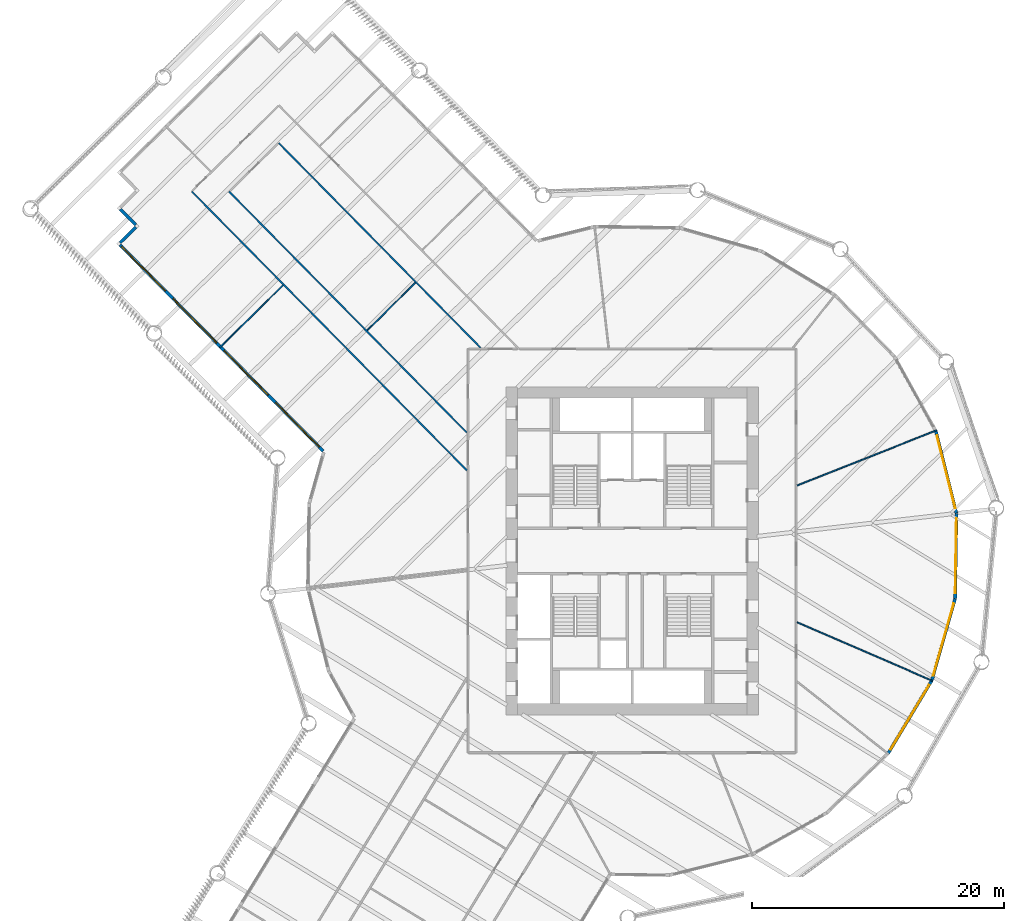
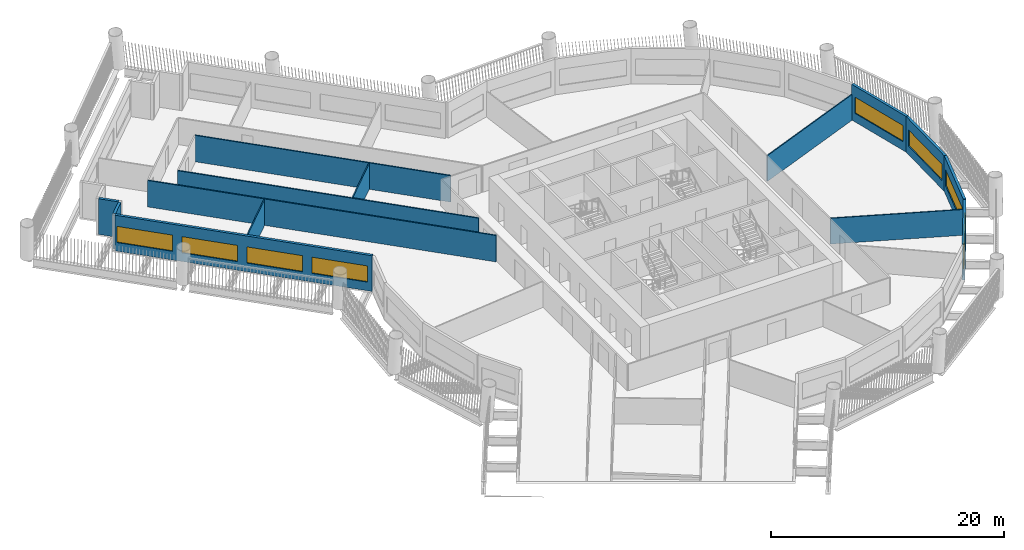
# One storey, part 6 of 15: 14 walls, 8 windows, 8 openings.
"""IFC4 building model written with IfcOpenShell, lengths in metres."""

from ifc_helpers import new_model, si_unit, direction, frame, frame_2d, origin, place, context, subcontext, project, spatial, rectangle, extrude, material, layer, layer_set, type_object, element, fill, save


model = new_model("IFC4")

# Units and contexts
model_context = context("Model", 3, precision=1e-05, world=origin(), true_north=direction((0.0, 1.0)))
body_context = subcontext(model_context, "Body", "Model", "MODEL_VIEW")
ifc_project = project(units=[si_unit("LENGTHUNIT", "METRE"), si_unit("AREAUNIT", "SQUARE_METRE"), si_unit("VOLUMEUNIT", "CUBIC_METRE"), si_unit("PLANEANGLEUNIT", "RADIAN"), si_unit("MASSUNIT", "GRAM", prefix="KILO")], contexts=[model_context])

# Site, building, storey
site_placement = place(None, origin())
site = spatial("IfcSite", under=ifc_project, at=site_placement, CompositionType="ELEMENT")
building_placement = place(site_placement, origin())
building = spatial("IfcBuilding", under=site, at=building_placement, Name="Tarsis Ring Headquarters", CompositionType="ELEMENT")
storey_placement = place(building_placement, frame((0.0, 0.0, 75.10009765625)))
storey = spatial("IfcBuildingStorey", under=building, at=storey_placement, Name="L16", CompositionType="ELEMENT", Elevation=75.10009765625)

# Walls
ifc_material_1 = material(Name="Gypsum board on steel studs", Category="steel")
ifc_layer_1 = layer(ifc_material_1, 0.10009765625)
ifc_layer_set_1 = layer_set([ifc_layer_1], Name="FL partition 100 unrated")
wall_type_1 = type_object("IfcWallType", Name="FL partition 100 unrated", PredefinedType="PARTITIONING", material=ifc_layer_set_1)
wall_1_placement = place(storey_placement, frame((13.074462890625, 5.176513671875, 0.0), z_axis=(0.0, 0.0, 1.0), x_axis=(0.929777028959, 0.368123181041, 0.0)))
element("IfcWall", 1, at=wall_1_placement, inside=storey, type_object=wall_type_1, Name="Partition PW3", PredefinedType="PARTITIONING", context=body_context, shape_type="SweptSolid", body=[
    extrude(rectangle(XDim=11.885986328125, YDim=0.10009765625, at=frame_2d((5.94287109375, 0.0))), origin(), (0.0, 0.0, 1.0), 2.699951171875),
])
wall_2_placement = place(storey_placement, frame((13.073486328125, -5.657470703125, 0.0), z_axis=(0.0, 0.0, 1.0), x_axis=(0.917754917288, -0.397147216776, 0.0)))
element("IfcWall", 2, at=wall_2_placement, inside=storey, type_object=wall_type_1, Name="Partition PW3", PredefinedType="PARTITIONING", context=body_context, shape_type="SweptSolid", body=[
    extrude(rectangle(XDim=11.70263671875, YDim=0.10009765625, at=frame_2d((5.851318359375, 0.0))), origin(), (0.0, 0.0, 1.0), 2.699951171875),
])
wall_3_placement = place(storey_placement, frame((-32.669921875, 16.110107421875, 0.0), z_axis=(0.0, 0.0, 1.0), x_axis=(0.712038273543, 0.702140653295, 0.0)))
element("IfcWall", 3, at=wall_3_placement, inside=storey, type_object=wall_type_1, Name="Partition PW3", PredefinedType="PARTITIONING", context=body_context, shape_type="SweptSolid", body=[
    extrude(rectangle(XDim=7.030029296875, YDim=0.10009765625, at=frame_2d((3.51513671875, 0.0))), origin(), (0.0, 0.0, 1.0), 2.699951171875),
])
wall_4_placement = place(storey_placement, frame((-20.99267578125, 17.47119140625, 0.0), z_axis=(0.0, 0.0, 1.0), x_axis=(0.712031643774, 0.702147376457, 0.0)))
element("IfcWall", 4, at=wall_4_placement, inside=storey, type_object=wall_type_1, Name="Partition PW3", PredefinedType="PARTITIONING", context=body_context, shape_type="SweptSolid", body=[
    extrude(rectangle(XDim=5.35986328125, YDim=0.10009765625, at=frame_2d((2.679931640625, 0.0))), origin(), (0.0, 0.0, 1.0), 2.699951171875),
])
ifc_layer_2 = layer(ifc_material_1, 0.125)
ifc_layer_set_2 = layer_set([ifc_layer_2], Name="FL partition 125 EI 60 H2770")
wall_type_2 = type_object("IfcWallType", Name="FL partition 125 EI 60 H2770", PredefinedType="PARTITIONING", material=ifc_layer_set_2)
wall_5_placement = place(storey_placement, frame((-34.895751953125, 28.47900390625, 0.0), z_axis=(0.0, 0.0, 1.0), x_axis=(0.702154612393, -0.712024508212, 0.0)))
element("IfcWall", 5, at=wall_5_placement, inside=storey, type_object=wall_type_2, Name="Partition PW1", PredefinedType="PARTITIONING", context=body_context, shape_type="SweptSolid", body=[
    extrude(rectangle(XDim=31.04345703125, YDim=0.125, at=frame_2d((15.521728515625, 0.0))), origin(), (0.0, 0.0, 1.0), 2.77001953125),
])
wall_6_placement = place(storey_placement, frame((-31.926025390625, 28.45849609375, 0.0), z_axis=(0.0, 0.0, 1.0), x_axis=(0.702150131863, -0.712028926607, 0.0)))
element("IfcWall", 6, at=wall_6_placement, inside=storey, type_object=wall_type_2, Name="Partition PW1", PredefinedType="PARTITIONING", context=body_context, shape_type="SweptSolid", body=[
    extrude(rectangle(XDim=26.814208984375, YDim=0.125, at=frame_2d((13.4072265625, 0.0))), origin(), (0.0, 0.0, 1.0), 2.77001953125),
])
wall_7_placement = place(storey_placement, frame((-28.009765625, 32.3203125, 0.0), z_axis=(0.0, 0.0, 1.0), x_axis=(0.702151222101, -0.712027851493, 0.0)))
element("IfcWall", 7, at=wall_7_placement, inside=storey, type_object=wall_type_2, Name="Partition PW1", PredefinedType="PARTITIONING", context=body_context, shape_type="SweptSolid", body=[
    extrude(rectangle(XDim=22.791015625, YDim=0.125, at=frame_2d((11.3955078125, 0.0))), origin(), (0.0, 0.0, 1.0), 2.77001953125),
])

# Wall, openings, windows
ifc_material_2 = material(Name="Terracotta clad insulated panel wall", Category="masonry")
ifc_layer_3 = layer(ifc_material_2, 0.25)
ifc_layer_set_3 = layer_set([ifc_layer_3], Name="Facade wall terracotta panel 250")
wall_type_3 = type_object("IfcWallType", Name="Facade wall terracotta panel 250", PredefinedType="STANDARD", material=ifc_layer_set_3)
wall_8_placement = place(storey_placement, frame((-40.578857421875, 24.237060546875, 0.0), z_axis=(0.0, 0.0, 1.0), x_axis=(0.702152835418, -0.712026260551, 0.0)))
wall_8 = element("IfcWall", 8, at=wall_8_placement, inside=storey, type_object=wall_type_3, Name="External wall L16-01", PredefinedType="STANDARD", context=body_context, shape_type="SweptSolid", body=[
    extrude(rectangle(XDim=22.921875, YDim=0.25, at=frame_2d((11.4609375, 0.0))), origin(), (0.0, 0.0, 1.0), 3.739990234375),
])
opening_1_placement = place(wall_8_placement, frame((0.17138671875, 0.0, 0.89990234375)))
opening_1 = element("IfcOpeningElement", 9, at=opening_1_placement, cuts=wall_8, Name="Opening WN05", PredefinedType="OPENING", context=body_context, shape_type="SweptSolid", body=[
    extrude(rectangle(XDim=4.949951171875, YDim=1.699951171875, at=frame_2d((2.47509765625, 0.85009765625))), frame((0.0, 0.135009765625, 0.0), z_axis=(0.0, -1.0, 0.0), x_axis=(1.0, 0.0, 0.0)), (0.0, 0.0, 1.0), 0.27001953125),
])
opening_2_placement = place(wall_8_placement, frame((5.964599609375, 0.0, 0.89990234375)))
opening_2 = element("IfcOpeningElement", 10, at=opening_2_placement, cuts=wall_8, Name="Opening WN05", PredefinedType="OPENING", context=body_context, shape_type="SweptSolid", body=[
    extrude(rectangle(XDim=4.949951171875, YDim=1.699951171875, at=frame_2d((2.47509765625, 0.85009765625))), frame((0.0, 0.135009765625, 0.0), z_axis=(0.0, -1.0, 0.0), x_axis=(1.0, 0.0, 0.0)), (0.0, 0.0, 1.0), 0.27001953125),
])
opening_3_placement = place(wall_8_placement, frame((11.757568359375, 0.0, 0.89990234375)))
opening_3 = element("IfcOpeningElement", 11, at=opening_3_placement, cuts=wall_8, Name="Opening WN05", PredefinedType="OPENING", context=body_context, shape_type="SweptSolid", body=[
    extrude(rectangle(XDim=4.949951171875, YDim=1.699951171875, at=frame_2d((2.47509765625, 0.85009765625))), frame((0.0, 0.135009765625, 0.0), z_axis=(0.0, -1.0, 0.0), x_axis=(1.0, 0.0, 0.0)), (0.0, 0.0, 1.0), 0.27001953125),
])
opening_4_placement = place(wall_8_placement, frame((17.550537109375, 0.0, 0.89990234375)))
opening_4 = element("IfcOpeningElement", 12, at=opening_4_placement, cuts=wall_8, Name="Opening WN05", PredefinedType="OPENING", context=body_context, shape_type="SweptSolid", body=[
    extrude(rectangle(XDim=4.949951171875, YDim=1.699951171875, at=frame_2d((2.47509765625, 0.85009765625))), frame((0.0, 0.135009765625, 0.0), z_axis=(0.0, -1.0, 0.0), x_axis=(1.0, 0.0, 0.0)), (0.0, 0.0, 1.0), 0.27001953125),
])
ifc_material_3 = material(Name="Aluminium framed double glazing", Category="aluminium")
window_type_1 = type_object("IfcWindowType", Name="Facade window 4950 x 1700", PartitioningType="SINGLE_PANEL", PredefinedType="WINDOW", material=ifc_material_3)
window_1_placement = place(opening_1_placement, origin())
window_1 = element("IfcWindow", 13, at=window_1_placement, inside=storey, type_object=window_type_1, Name="Window L16-01.1", OverallHeight=1.699951171875, OverallWidth=4.949951171875, PartitioningType="SINGLE_PANEL", PredefinedType="WINDOW", context=body_context, shape_type="SweptSolid", body=[
    extrude(rectangle(XDim=4.949951171875, YDim=1.699951171875, at=frame_2d((2.47509765625, 0.85009765625))), frame((0.0, 0.030029296875, 0.0), z_axis=(0.0, -1.0, 0.0), x_axis=(1.0, 0.0, 0.0)), (0.0, 0.0, 1.0), 0.06005859375),
])
fill(opening_1, window_1)
window_2_placement = place(opening_2_placement, origin())
window_2 = element("IfcWindow", 14, at=window_2_placement, inside=storey, type_object=window_type_1, Name="Window L16-01.2", OverallHeight=1.699951171875, OverallWidth=4.949951171875, PartitioningType="SINGLE_PANEL", PredefinedType="WINDOW", context=body_context, shape_type="SweptSolid", body=[
    extrude(rectangle(XDim=4.949951171875, YDim=1.699951171875, at=frame_2d((2.47509765625, 0.85009765625))), frame((0.0, 0.030029296875, 0.0), z_axis=(0.0, -1.0, 0.0), x_axis=(1.0, 0.0, 0.0)), (0.0, 0.0, 1.0), 0.06005859375),
])
fill(opening_2, window_2)
window_3_placement = place(opening_3_placement, origin())
window_3 = element("IfcWindow", 15, at=window_3_placement, inside=storey, type_object=window_type_1, Name="Window L16-01.3", OverallHeight=1.699951171875, OverallWidth=4.949951171875, PartitioningType="SINGLE_PANEL", PredefinedType="WINDOW", context=body_context, shape_type="SweptSolid", body=[
    extrude(rectangle(XDim=4.949951171875, YDim=1.699951171875, at=frame_2d((2.47509765625, 0.85009765625))), frame((0.0, 0.030029296875, 0.0), z_axis=(0.0, -1.0, 0.0), x_axis=(1.0, 0.0, 0.0)), (0.0, 0.0, 1.0), 0.06005859375),
])
fill(opening_3, window_3)
window_4_placement = place(opening_4_placement, origin())
window_4 = element("IfcWindow", 16, at=window_4_placement, inside=storey, type_object=window_type_1, Name="Window L16-01.4", OverallHeight=1.699951171875, OverallWidth=4.949951171875, PartitioningType="SINGLE_PANEL", PredefinedType="WINDOW", context=body_context, shape_type="SweptSolid", body=[
    extrude(rectangle(XDim=4.949951171875, YDim=1.699951171875, at=frame_2d((2.47509765625, 0.85009765625))), frame((0.0, 0.030029296875, 0.0), z_axis=(0.0, -1.0, 0.0), x_axis=(1.0, 0.0, 0.0)), (0.0, 0.0, 1.0), 0.06005859375),
])
fill(opening_4, window_4)

# Wall, opening, window
wall_9_placement = place(storey_placement, frame((20.28564453125, -16.057373046875, 0.0), z_axis=(0.0, 0.0, 1.0), x_axis=(0.513550014833, 0.85805966125, 0.0)))
wall_9 = element("IfcWall", 17, at=wall_9_placement, inside=storey, type_object=wall_type_3, Name="External wall L16-21", PredefinedType="STANDARD", context=body_context, shape_type="SweptSolid", body=[
    extrude(rectangle(XDim=6.7216796875, YDim=0.25, at=frame_2d((3.36083984375, 0.0))), origin(), (0.0, 0.0, 1.0), 3.739990234375),
])
opening_5_placement = place(wall_9_placement, frame((0.3857421875, 0.0, 0.89990234375)))
opening_5 = element("IfcOpeningElement", 18, at=opening_5_placement, cuts=wall_9, Name="Opening WN07", PredefinedType="OPENING", context=body_context, shape_type="SweptSolid", body=[
    extrude(rectangle(XDim=5.949951171875, YDim=1.699951171875, at=frame_2d((2.97509765625, 0.85009765625))), frame((0.0, 0.135009765625, 0.0), z_axis=(0.0, -1.0, 0.0), x_axis=(1.0, 0.0, 0.0)), (0.0, 0.0, 1.0), 0.27001953125),
])
window_type_2 = type_object("IfcWindowType", Name="Facade window 5950 x 1700", PartitioningType="SINGLE_PANEL", PredefinedType="WINDOW", material=ifc_material_3)
window_5_placement = place(opening_5_placement, origin())
window_5 = element("IfcWindow", 19, at=window_5_placement, inside=storey, type_object=window_type_2, Name="Window L16-21.1", OverallHeight=1.699951171875, OverallWidth=5.949951171875, PartitioningType="SINGLE_PANEL", PredefinedType="WINDOW", context=body_context, shape_type="SweptSolid", body=[
    extrude(rectangle(XDim=5.949951171875, YDim=1.699951171875, at=frame_2d((2.97509765625, 0.85009765625))), frame((0.0, 0.030029296875, 0.0), z_axis=(0.0, -1.0, 0.0), x_axis=(1.0, 0.0, 0.0)), (0.0, 0.0, 1.0), 0.06005859375),
])
fill(opening_5, window_5)

wall_10_placement = place(storey_placement, frame((23.75048828125, -10.260009765625, 0.0), z_axis=(0.0, 0.0, 1.0), x_axis=(0.273943874919, 0.961745680206, 0.0)))
wall_10 = element("IfcWall", 20, at=wall_10_placement, inside=storey, type_object=wall_type_3, Name="External wall L16-22", PredefinedType="STANDARD", context=body_context, shape_type="SweptSolid", body=[
    extrude(rectangle(XDim=6.721435546875, YDim=0.25, at=frame_2d((3.36083984375, 0.0))), origin(), (0.0, 0.0, 1.0), 3.739990234375),
])
opening_6_placement = place(wall_10_placement, frame((0.3857421875, 0.0, 0.89990234375)))
opening_6 = element("IfcOpeningElement", 21, at=opening_6_placement, cuts=wall_10, Name="Opening WN07", PredefinedType="OPENING", context=body_context, shape_type="SweptSolid", body=[
    extrude(rectangle(XDim=5.949951171875, YDim=1.699951171875, at=frame_2d((2.97509765625, 0.85009765625))), frame((0.0, 0.135009765625, 0.0), z_axis=(0.0, -1.0, 0.0), x_axis=(1.0, 0.0, 0.0)), (0.0, 0.0, 1.0), 0.27001953125),
])
window_6_placement = place(opening_6_placement, origin())
window_6 = element("IfcWindow", 22, at=window_6_placement, inside=storey, type_object=window_type_2, Name="Window L16-22.1", OverallHeight=1.699951171875, OverallWidth=5.949951171875, PartitioningType="SINGLE_PANEL", PredefinedType="WINDOW", context=body_context, shape_type="SweptSolid", body=[
    extrude(rectangle(XDim=5.949951171875, YDim=1.699951171875, at=frame_2d((2.97509765625, 0.85009765625))), frame((0.0, 0.030029296875, 0.0), z_axis=(0.0, -1.0, 0.0), x_axis=(1.0, 0.0, 0.0)), (0.0, 0.0, 1.0), 0.06005859375),
])
fill(opening_6, window_6)

wall_11_placement = place(storey_placement, frame((25.5966796875, -3.76318359375, 0.0), z_axis=(0.0, 0.0, 1.0), x_axis=(0.015691180423, 0.99987688585, 0.0)))
wall_11 = element("IfcWall", 23, at=wall_11_placement, inside=storey, type_object=wall_type_3, Name="External wall L16-23", PredefinedType="STANDARD", context=body_context, shape_type="SweptSolid", body=[
    extrude(rectangle(XDim=6.721435546875, YDim=0.25, at=frame_2d((3.36083984375, 0.0))), origin(), (0.0, 0.0, 1.0), 3.739990234375),
])
opening_7_placement = place(wall_11_placement, frame((0.3857421875, 0.0, 0.89990234375)))
opening_7 = element("IfcOpeningElement", 24, at=opening_7_placement, cuts=wall_11, Name="Opening WN07", PredefinedType="OPENING", context=body_context, shape_type="SweptSolid", body=[
    extrude(rectangle(XDim=5.949951171875, YDim=1.699951171875, at=frame_2d((2.97509765625, 0.85009765625))), frame((0.0, 0.135009765625, 0.0), z_axis=(0.0, -1.0, 0.0), x_axis=(1.0, 0.0, 0.0)), (0.0, 0.0, 1.0), 0.27001953125),
])
window_7_placement = place(opening_7_placement, origin())
window_7 = element("IfcWindow", 25, at=window_7_placement, inside=storey, type_object=window_type_2, Name="Window L16-23.1", OverallHeight=1.699951171875, OverallWidth=5.949951171875, PartitioningType="SINGLE_PANEL", PredefinedType="WINDOW", context=body_context, shape_type="SweptSolid", body=[
    extrude(rectangle(XDim=5.949951171875, YDim=1.699951171875, at=frame_2d((2.97509765625, 0.85009765625))), frame((0.0, 0.030029296875, 0.0), z_axis=(0.0, -1.0, 0.0), x_axis=(1.0, 0.0, 0.0)), (0.0, 0.0, 1.0), 0.06005859375),
])
fill(opening_7, window_7)

wall_12_placement = place(storey_placement, frame((25.698486328125, 2.98974609375, 0.0), z_axis=(0.0, 0.0, 1.0), x_axis=(-0.243612319037, 0.969872691653, 0.0)))
wall_12 = element("IfcWall", 26, at=wall_12_placement, inside=storey, type_object=wall_type_3, Name="External wall L16-24", PredefinedType="STANDARD", context=body_context, shape_type="SweptSolid", body=[
    extrude(rectangle(XDim=6.721435546875, YDim=0.25, at=frame_2d((3.36083984375, 0.0))), origin(), (0.0, 0.0, 1.0), 3.739990234375),
])
opening_8_placement = place(wall_12_placement, frame((0.3857421875, 0.0, 0.89990234375)))
opening_8 = element("IfcOpeningElement", 27, at=opening_8_placement, cuts=wall_12, Name="Opening WN07", PredefinedType="OPENING", context=body_context, shape_type="SweptSolid", body=[
    extrude(rectangle(XDim=5.949951171875, YDim=1.699951171875, at=frame_2d((2.97509765625, 0.85009765625))), frame((0.0, 0.135009765625, 0.0), z_axis=(0.0, -1.0, 0.0), x_axis=(1.0, 0.0, 0.0)), (0.0, 0.0, 1.0), 0.27001953125),
])
window_8_placement = place(opening_8_placement, origin())
window_8 = element("IfcWindow", 28, at=window_8_placement, inside=storey, type_object=window_type_2, Name="Window L16-24.1", OverallHeight=1.699951171875, OverallWidth=5.949951171875, PartitioningType="SINGLE_PANEL", PredefinedType="WINDOW", context=body_context, shape_type="SweptSolid", body=[
    extrude(rectangle(XDim=5.949951171875, YDim=1.699951171875, at=frame_2d((2.97509765625, 0.85009765625))), frame((0.0, 0.030029296875, 0.0), z_axis=(0.0, -1.0, 0.0), x_axis=(1.0, 0.0, 0.0)), (0.0, 0.0, 1.0), 0.06005859375),
])
fill(opening_8, window_8)

# Walls
for number, where, z_axis, x_axis, name in (
    (29, (-40.55908203125, 27.0654296875, 0.0), (0.0, 0.0, 1.0), (0.702136951733, -0.712041923633, 0.0), "External wall L16-39"),
    (30, (-39.33154296875, 25.642578125, 0.0), (0.0, 0.0, 1.0), (-0.712041923633, -0.702136951733, 0.0), "External wall L16-40"),
):
    element("IfcWall", number, at=place(storey_placement, frame(where, z_axis=z_axis, x_axis=x_axis)), inside=storey, type_object=wall_type_3, Name=name, PredefinedType="STANDARD", context=body_context, shape_type="SweptSolid", body=[
        extrude(rectangle(XDim=1.75, YDim=0.25, at=frame_2d((0.875, 0.0))), origin(), (0.0, 0.0, 1.0), 3.739990234375),
    ])

save(model, "model.ifc")
